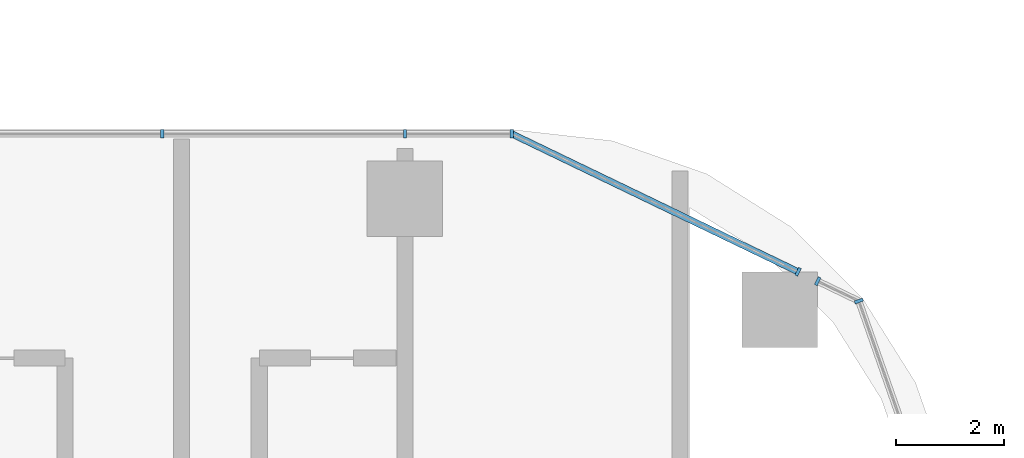
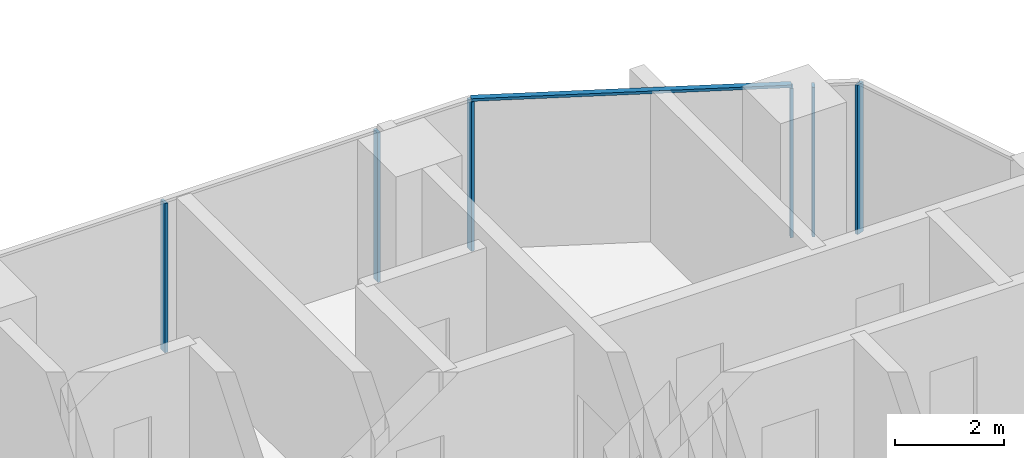
# One storey, part 5 of 36: 7 members, 3 elements without a shape of their own.
"""IFC4 building model written with IfcOpenShell, lengths in metres."""

from ifc_helpers import new_model, si_unit, direction, frame, origin, origin_2d, place, context, subcontext, project, spatial, rectangle, extrude, material, material_profile, profile_set, type_object, element, aggregate, save


model = new_model("IFC4")

# Units and contexts
model_context = context("Model", 3, precision=1e-05, world=origin(), true_north=direction((0.0, 1.0)))
body_context = subcontext(model_context, "Body", "Model", "MODEL_VIEW")
ifc_project = project(units=[si_unit("LENGTHUNIT", "METRE"), si_unit("AREAUNIT", "SQUARE_METRE"), si_unit("VOLUMEUNIT", "CUBIC_METRE"), si_unit("PLANEANGLEUNIT", "RADIAN"), si_unit("MASSUNIT", "GRAM", prefix="KILO")], contexts=[model_context])

# Site, building, storey
site_placement = place(None, origin())
site = spatial("IfcSite", under=ifc_project, at=site_placement, CompositionType="ELEMENT")
building_placement = place(site_placement, origin())
building = spatial("IfcBuilding", under=site, at=building_placement, Name="Ogive Portal Towers", CompositionType="ELEMENT")
storey_placement = place(building_placement, frame((0.0, 0.0, 48.300048828125)))
storey = spatial("IfcBuildingStorey", under=building, at=storey_placement, Name="L10", CompositionType="ELEMENT", Elevation=48.300048828125)

# Curtain wall, members
ifc_material_1 = material(Name="Glass, clear low-iron insulated glazing", Category="glass")
curtain_wall_type = type_object("IfcCurtainWallType", Name="CW FRONT RIBBON 4500", PredefinedType="NOTDEFINED", material=ifc_material_1)
curtain_wall_1_placement = place(storey_placement, origin())
curtain_wall_1 = element("IfcCurtainWall", 1, at=curtain_wall_1_placement, inside=storey, type_object=curtain_wall_type, Name="A:L10:f11:cw0", PredefinedType="NOTDEFINED")
ifc_material_2 = material(Name="Aluminium 6063 anodised", Category="aluminium")
ifc_material_profile_1 = material_profile(ifc_material_2, rectangle(XDim=0.159912109375, YDim=0.06005859375, at=origin_2d()), Name="AL 60x160")
ifc_profile_set_1 = profile_set([ifc_material_profile_1], Name="Aluminium 6063 anodised")
member_type_1 = type_object("IfcMemberType", Name="CW MULLION 60x160", PredefinedType="MULLION", material=ifc_profile_set_1)
member_1_placement = place(storey_placement, frame((87.481689453125, 40.705078125, 0.0), z_axis=(0.0, 0.0, 1.0), x_axis=(0.0, -1.0, 0.0)))
member_1 = element("IfcMember", 2, at=member_1_placement, type_object=member_type_1, Name="mullion", PredefinedType="MULLION", context=body_context, shape_type="SweptSolid", body=[
    extrude(rectangle(XDim=0.159912109375, YDim=0.06005859375, at=origin_2d()), origin(), (0.0, 0.0, 1.0), 3.33984375),
])
member_2_placement = place(storey_placement, frame((85.5, 40.705078125, 0.0), z_axis=(0.0, 0.0, 1.0), x_axis=(0.0, -1.0, 0.0)))
member_2 = element("IfcMember", 3, at=member_2_placement, type_object=member_type_1, Name="mullion", PredefinedType="MULLION", context=body_context, shape_type="SweptSolid", body=[
    extrude(rectangle(XDim=0.159912109375, YDim=0.06005859375, at=origin_2d()), origin(), (0.0, 0.0, 1.0), 3.33984375),
])
member_3_placement = place(storey_placement, frame((81.0, 40.705078125, 0.0), z_axis=(0.0, 0.0, 1.0), x_axis=(0.0, -1.0, 0.0)))
member_3 = element("IfcMember", 4, at=member_3_placement, type_object=member_type_1, Name="mullion", PredefinedType="MULLION", context=body_context, shape_type="SweptSolid", body=[
    extrude(rectangle(XDim=0.159912109375, YDim=0.06005859375, at=origin_2d()), origin(), (0.0, 0.0, 1.0), 3.33984375),
])
aggregate(curtain_wall_1, [member_1, member_2, member_3])

curtain_wall_2_placement = place(storey_placement, origin())
curtain_wall_2 = element("IfcCurtainWall", 5, at=curtain_wall_2_placement, inside=storey, type_object=curtain_wall_type, Name="A:L10:f09:cwa~0", PredefinedType="NOTDEFINED")
member_4_placement = place(storey_placement, frame((93.912841796875, 37.60791015625, 0.0), z_axis=(0.0, 0.0, 1.0), x_axis=(-0.943883330307, -0.33027906196, 0.0)))
member_4 = element("IfcMember", 6, at=member_4_placement, type_object=member_type_1, Name="mullion", PredefinedType="MULLION", context=body_context, shape_type="SweptSolid", body=[
    extrude(rectangle(XDim=0.159912109375, YDim=0.06005859375, at=origin_2d()), origin(), (0.0, 0.0, 1.0), 3.33984375),
])
member_5_placement = place(storey_placement, frame((93.14990234375, 37.975341796875, 0.0), z_axis=(0.0, 0.0, 1.0), x_axis=(-0.433883739113, -0.900968867905, 0.0)))
member_5 = element("IfcMember", 7, at=member_5_placement, type_object=member_type_1, Name="mullion", PredefinedType="MULLION", context=body_context, shape_type="SweptSolid", body=[
    extrude(rectangle(XDim=0.159912109375, YDim=0.06005859375, at=origin_2d()), origin(), (0.0, 0.0, 1.0), 3.33984375),
])
aggregate(curtain_wall_2, [member_4, member_5])

curtain_wall_3_placement = place(storey_placement, origin())
curtain_wall_3 = element("IfcCurtainWall", 8, at=curtain_wall_3_placement, inside=storey, type_object=curtain_wall_type, Name="A:L10:f09:cwa~1", PredefinedType="NOTDEFINED")
member_6_placement = place(storey_placement, frame((92.787353515625, 38.14990234375, 0.0), z_axis=(0.0, 0.0, 1.0), x_axis=(-0.433883739113, -0.900968867905, 0.0)))
member_6 = element("IfcMember", 9, at=member_6_placement, type_object=member_type_1, Name="mullion", PredefinedType="MULLION", context=body_context, shape_type="SweptSolid", body=[
    extrude(rectangle(XDim=0.159912109375, YDim=0.06005859375, at=origin_2d()), origin(), (0.0, 0.0, 1.0), 3.33984375),
])
ifc_material_profile_2 = material_profile(ifc_material_2, rectangle(XDim=0.1201171875, YDim=0.06005859375, at=origin_2d()), Name="AL 120x60")
ifc_profile_set_2 = profile_set([ifc_material_profile_2], Name="Aluminium 6063 anodised")
member_type_2 = type_object("IfcMemberType", Name="CW TRANSOM 60x120", PredefinedType="USERDEFINED", material=ifc_profile_set_2)
member_7_placement = place(storey_placement, frame((92.787353515625, 38.14990234375, 3.369873046875), z_axis=(-0.900962054825, 0.433897886334, 0.0), x_axis=(-0.433897886334, -0.900962054825, 0.0)))
member_7 = element("IfcMember", 10, at=member_7_placement, type_object=member_type_2, Name="transom", ObjectType="TRANSOM", PredefinedType="USERDEFINED", context=body_context, shape_type="SweptSolid", body=[
    extrude(rectangle(XDim=0.1201171875, YDim=0.06005859375, at=origin_2d()), origin(), (0.0, 0.0, 1.0), 5.888916015625),
])
aggregate(curtain_wall_3, [member_7, member_6])

save(model, "model.ifc")
